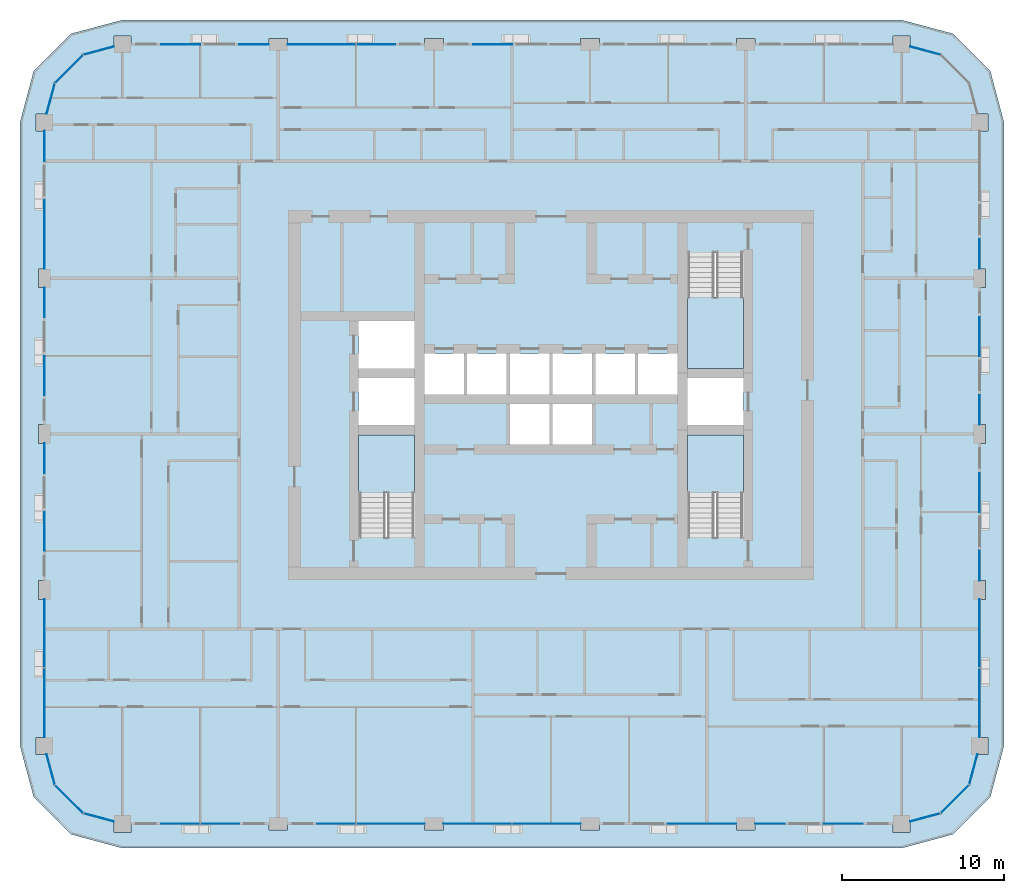
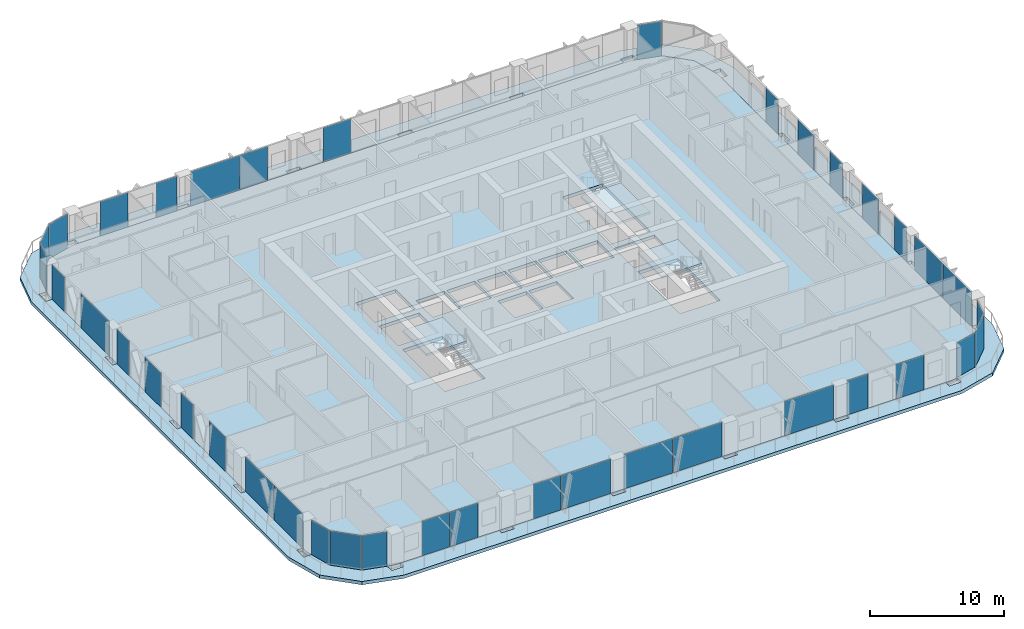
# One storey, part 7 of 22: 39 plates, 5 slabs, 23 elements without a shape of their own.
"""IFC4 building model written with IfcOpenShell, lengths in metres."""

from ifc_helpers import new_model, si_unit, direction, frame, origin, origin_2d, place, context, subcontext, project, spatial, polyline, rectangle, outline, extrude, material, layer, layer_set, type_object, element, aggregate, save


model = new_model("IFC4")

# Units and contexts
model_context = context("Model", 3, precision=1e-05, world=origin(), true_north=direction((0.0, 1.0)))
body_context = subcontext(model_context, "Body", "Model", "MODEL_VIEW")
ifc_project = project(units=[si_unit("LENGTHUNIT", "METRE"), si_unit("AREAUNIT", "SQUARE_METRE"), si_unit("VOLUMEUNIT", "CUBIC_METRE"), si_unit("PLANEANGLEUNIT", "RADIAN"), si_unit("MASSUNIT", "GRAM", prefix="KILO")], contexts=[model_context])

# Site, building, storey
site_placement = place(None, origin())
site = spatial("IfcSite", under=ifc_project, at=site_placement, CompositionType="ELEMENT")
building_placement = place(site_placement, origin())
building = spatial("IfcBuilding", under=site, at=building_placement, Name="Madar Terraces", CompositionType="ELEMENT")
storey_placement = place(building_placement, frame((0.0, 0.0, 149.0)))
storey = spatial("IfcBuildingStorey", under=building, at=storey_placement, Name="L38", CompositionType="ELEMENT", Elevation=149.0)

# Slabs
ifc_material_1 = material(Name="Concrete C50/60", Category="concrete")
ifc_layer_1 = layer(ifc_material_1, 0.300048828125)
ifc_layer_set_1 = layer_set([ifc_layer_1], Name="Balcony band 300")
slab_type_1 = type_object("IfcSlabType", Name="Balcony band 300", PredefinedType="FLOOR", material=ifc_layer_set_1)
slab_1_placement = place(storey_placement, frame((0.0, 0.0, -0.300048828125)))
element("IfcSlab", 1, at=slab_1_placement, inside=storey, type_object=slab_type_1, Name="Balcony band", PredefinedType="FLOOR", context=body_context, shape_type="SweptSolid", body=[
    extrude(outline(polyline([(4.800048828125, -1.5), (1.64990234375, -0.656005859375), (-0.656005859375, 1.64990234375), (-1.5, 4.800048828125), (-1.5, 43.199951171875), (-0.656005859375, 46.35009765625), (1.64990234375, 48.656005859375), (4.800048828125, 49.5), (52.800048828125, 49.5), (55.949951171875, 48.656005859375), (58.256103515625, 46.35009765625), (59.10009765625, 43.199951171875), (59.10009765625, 4.800048828125), (58.256103515625, 1.64990234375), (55.949951171875, -0.656005859375), (52.800048828125, -1.5), (4.800048828125, -1.5)]), holes=[polyline([(5.324951171875, -0.52490234375), (5.324951171875, 0.0), (13.824951171875, 0.0), (13.824951171875, -0.375), (14.97509765625, -0.375), (14.97509765625, 0.0), (23.425048828125, 0.0), (23.425048828125, -0.375), (24.574951171875, -0.375), (24.574951171875, 0.0), (33.02490234375, 0.0), (33.02490234375, -0.375), (34.175048828125, -0.375), (34.175048828125, 0.0), (42.625, 0.0), (42.625, -0.375), (43.77490234375, -0.375), (43.77490234375, 0.0), (52.27490234375, 0.0), (52.27490234375, -0.52490234375), (53.324951171875, -0.52490234375), (53.324951171875, 0.140625), (55.199951171875, 0.64306640625), (56.956787109375, 2.39990234375), (57.459228515625, 4.27490234375), (58.125, 4.27490234375), (58.125, 5.324951171875), (57.60009765625, 5.324951171875), (57.60009765625, 13.824951171875), (57.97509765625, 13.824951171875), (57.97509765625, 14.97509765625), (57.60009765625, 14.97509765625), (57.60009765625, 23.425048828125), (57.97509765625, 23.425048828125), (57.97509765625, 24.574951171875), (57.60009765625, 24.574951171875), (57.60009765625, 33.02490234375), (57.97509765625, 33.02490234375), (57.97509765625, 34.175048828125), (57.60009765625, 34.175048828125), (57.60009765625, 42.675048828125), (58.125, 42.675048828125), (58.125, 43.72509765625), (57.459228515625, 43.72509765625), (56.956787109375, 45.60009765625), (55.199951171875, 47.35693359375), (53.324951171875, 47.859375), (53.324951171875, 48.52490234375), (52.27490234375, 48.52490234375), (52.27490234375, 48.0), (43.77490234375, 48.0), (43.77490234375, 48.375), (42.625, 48.375), (42.625, 48.0), (34.175048828125, 48.0), (34.175048828125, 48.375), (33.02490234375, 48.375), (33.02490234375, 48.0), (24.574951171875, 48.0), (24.574951171875, 48.375), (23.425048828125, 48.375), (23.425048828125, 48.0), (14.97509765625, 48.0), (14.97509765625, 48.375), (13.824951171875, 48.375), (13.824951171875, 48.0), (5.324951171875, 48.0), (5.324951171875, 48.52490234375), (4.27490234375, 48.52490234375), (4.27490234375, 47.859375), (2.39990234375, 47.35693359375), (0.64306640625, 45.60009765625), (0.140625, 43.72509765625), (-0.52490234375, 43.72509765625), (-0.52490234375, 42.675048828125), (0.0, 42.675048828125), (0.0, 34.175048828125), (-0.375, 34.175048828125), (-0.375, 33.02490234375), (0.0, 33.02490234375), (0.0, 24.574951171875), (-0.375, 24.574951171875), (-0.375, 23.425048828125), (0.0, 23.425048828125), (0.0, 14.97509765625), (-0.375, 14.97509765625), (-0.375, 13.824951171875), (0.0, 13.824951171875), (0.0, 5.324951171875), (-0.52490234375, 5.324951171875), (-0.52490234375, 4.27490234375), (0.140625, 4.27490234375), (0.64306640625, 2.39990234375), (2.39990234375, 0.64306640625), (4.27490234375, 0.140625), (4.27490234375, -0.52490234375), (5.324951171875, -0.52490234375)])]), origin(), (0.0, 0.0, 1.0), 0.300048828125),
])
ifc_material_2 = material(Name="Concrete C50/60", Category="concrete")
ifc_layer_2 = layer(ifc_material_2, 0.300048828125)
ifc_layer_set_2 = layer_set([ifc_layer_2], Name="FS2 PT flat slab 300")
slab_type_2 = type_object("IfcSlabType", Name="FS2 PT flat slab 300", PredefinedType="FLOOR", material=ifc_layer_set_2)
slab_2_placement = place(storey_placement, frame((0.0, 0.0, -0.300048828125)))
element("IfcSlab", 2, at=slab_2_placement, inside=storey, type_object=slab_type_2, Name="Floor slab L38 (1)", PredefinedType="FLOOR", context=body_context, shape_type="SweptSolid", body=[
    extrude(outline(polyline([(52.800048828125, 0.0), (55.199951171875, 0.64306640625), (56.95703125, 2.39990234375), (57.60009765625, 4.800048828125), (57.60009765625, 43.199951171875), (56.95703125, 45.60009765625), (55.199951171875, 47.35693359375), (52.800048828125, 48.0), (4.800048828125, 48.0), (2.39990234375, 47.35693359375), (0.64306640625, 45.60009765625), (0.0, 43.199951171875), (0.0, 4.800048828125), (0.64306640625, 2.39990234375), (2.39990234375, 0.64306640625), (4.800048828125, 0.0), (52.800048828125, 0.0)]), holes=[polyline([(22.800048828125, 17.64990234375), (19.35009765625, 17.64990234375), (19.35009765625, 23.949951171875), (22.800048828125, 23.949951171875), (22.800048828125, 17.64990234375)]), polyline([(28.666748046875, 23.35009765625), (28.666748046875, 25.85009765625), (31.10009765625, 25.85009765625), (31.10009765625, 23.35009765625), (28.666748046875, 23.35009765625)]), polyline([(19.35009765625, 24.550048828125), (19.35009765625, 27.449951171875), (22.800048828125, 27.449951171875), (22.800048828125, 24.550048828125), (19.35009765625, 24.550048828125)]), polyline([(23.39990234375, 26.449951171875), (23.39990234375, 28.949951171875), (25.833251953125, 28.949951171875), (25.833251953125, 26.449951171875), (23.39990234375, 26.449951171875)]), polyline([(26.033447265625, 26.449951171875), (26.033447265625, 28.949951171875), (28.466552734375, 28.949951171875), (28.466552734375, 26.449951171875), (26.033447265625, 26.449951171875)]), polyline([(28.666748046875, 26.449951171875), (28.666748046875, 28.949951171875), (31.10009765625, 28.949951171875), (31.10009765625, 26.449951171875), (28.666748046875, 26.449951171875)]), polyline([(19.35009765625, 28.050048828125), (19.35009765625, 30.949951171875), (22.800048828125, 30.949951171875), (22.800048828125, 28.050048828125), (19.35009765625, 28.050048828125)]), polyline([(43.050048828125, 17.64990234375), (39.60009765625, 17.64990234375), (39.60009765625, 23.949951171875), (43.050048828125, 23.949951171875), (43.050048828125, 17.64990234375)]), polyline([(31.300048828125, 23.35009765625), (31.300048828125, 25.85009765625), (33.7333984375, 25.85009765625), (33.7333984375, 23.35009765625), (31.300048828125, 23.35009765625)]), polyline([(39.60009765625, 24.550048828125), (39.60009765625, 27.449951171875), (43.050048828125, 27.449951171875), (43.050048828125, 24.550048828125), (39.60009765625, 24.550048828125)]), polyline([(31.300048828125, 26.449951171875), (31.300048828125, 28.949951171875), (33.7333984375, 28.949951171875), (33.7333984375, 26.449951171875), (31.300048828125, 26.449951171875)]), polyline([(33.933349609375, 26.449951171875), (33.933349609375, 28.949951171875), (36.36669921875, 28.949951171875), (36.36669921875, 26.449951171875), (33.933349609375, 26.449951171875)]), polyline([(36.566650390625, 26.449951171875), (36.566650390625, 28.949951171875), (39.0, 28.949951171875), (39.0, 26.449951171875), (36.566650390625, 26.449951171875)]), polyline([(39.60009765625, 28.050048828125), (39.60009765625, 35.14990234375), (43.050048828125, 35.14990234375), (43.050048828125, 28.050048828125), (39.60009765625, 28.050048828125)])]), origin(), (0.0, 0.0, 1.0), 0.300048828125),
])

# Curtain wall, plates
ifc_material_3 = material(Name="Glass, ceramic frit dark grey, with black aluminium frame", Category="aluminium")
ifc_layer_3 = layer(ifc_material_3, 0.199951171875)
ifc_layer_set_3 = layer_set([ifc_layer_3], Name="Facade curtain wall, fritted glass")
curtain_wall_type = type_object("IfcCurtainWallType", Name="Facade curtain wall, fritted glass", PredefinedType="NOTDEFINED", material=ifc_layer_set_3)
curtain_wall_1_placement = place(storey_placement, origin())
curtain_wall_1 = element("IfcCurtainWall", 3, at=curtain_wall_1_placement, inside=storey, type_object=curtain_wall_type, Name="Outer skin curtain wall south bay 1", PredefinedType="NOTDEFINED")
ifc_material_4 = material(Name="Glass, ceramic frit dark grey", Category="glass")
ifc_layer_4 = layer(ifc_material_4, 0.028076171875)
ifc_layer_set_4 = layer_set([ifc_layer_4], Name="Facade glass panel 28")
plate_type = type_object("IfcPlateType", Name="Facade glass panel 28", PredefinedType="CURTAIN_PANEL", material=ifc_layer_set_4)
plate_1_placement = place(storey_placement, frame((8.385009765625, 0.0, 0.0), z_axis=(0.0, 0.0, 1.0), x_axis=(1.0, 0.0, 0.0)))
plate_1 = element("IfcPlate", 4, at=plate_1_placement, type_object=plate_type, Name="Panel 1", PredefinedType="CURTAIN_PANEL", context=body_context, shape_type="SweptSolid", body=[
    extrude(rectangle(XDim=2.3701171875, YDim=0.028076171875, at=origin_2d()), origin(), (0.0, 0.0, 1.0), 3.139892578125),
])
plate_2_placement = place(storey_placement, frame((10.81494140625, 0.0, 0.0), z_axis=(0.0, 0.0, 1.0), x_axis=(1.0, 0.0, 0.0)))
plate_2 = element("IfcPlate", 5, at=plate_2_placement, type_object=plate_type, Name="Panel 2", PredefinedType="CURTAIN_PANEL", context=body_context, shape_type="SweptSolid", body=[
    extrude(rectangle(XDim=2.3701171875, YDim=0.028076171875, at=origin_2d()), origin(), (0.0, 0.0, 1.0), 3.139892578125),
])
aggregate(curtain_wall_1, [plate_1, plate_2])

curtain_wall_2_placement = place(storey_placement, origin())
curtain_wall_2 = element("IfcCurtainWall", 6, at=curtain_wall_2_placement, inside=storey, type_object=curtain_wall_type, Name="Outer skin curtain wall south bay 2", PredefinedType="NOTDEFINED")
plate_3_placement = place(storey_placement, frame((17.985107421875, 0.0, 0.0), z_axis=(0.0, 0.0, 1.0), x_axis=(1.0, 0.0, 0.0)))
plate_3 = element("IfcPlate", 7, at=plate_3_placement, type_object=plate_type, Name="Panel 1", PredefinedType="CURTAIN_PANEL", context=body_context, shape_type="SweptSolid", body=[
    extrude(rectangle(XDim=2.3701171875, YDim=0.028076171875, at=origin_2d()), origin(), (0.0, 0.0, 1.0), 3.139892578125),
])
plate_4_placement = place(storey_placement, frame((21.327392578125, 0.0, 0.0), z_axis=(0.0, 0.0, 1.0), x_axis=(1.0, 0.0, 0.0)))
plate_4 = element("IfcPlate", 8, at=plate_4_placement, type_object=plate_type, Name="Panel 2", PredefinedType="CURTAIN_PANEL", context=body_context, shape_type="SweptSolid", body=[
    extrude(rectangle(XDim=4.195068359375, YDim=0.028076171875, at=origin_2d()), origin(), (0.0, 0.0, 1.0), 3.139892578125),
])
aggregate(curtain_wall_2, [plate_3, plate_4])

curtain_wall_3_placement = place(storey_placement, origin())
curtain_wall_3 = element("IfcCurtainWall", 9, at=curtain_wall_3_placement, inside=storey, type_object=curtain_wall_type, Name="Outer skin curtain wall south bay 3", PredefinedType="NOTDEFINED")
plate_5_placement = place(storey_placement, frame((26.672607421875, 0.0, 0.0), z_axis=(0.0, 0.0, 1.0), x_axis=(1.0, 0.0, 0.0)))
plate_5 = element("IfcPlate", 10, at=plate_5_placement, type_object=plate_type, Name="Panel 1", PredefinedType="CURTAIN_PANEL", context=body_context, shape_type="SweptSolid", body=[
    extrude(rectangle(XDim=4.195068359375, YDim=0.028076171875, at=origin_2d()), origin(), (0.0, 0.0, 1.0), 3.139892578125),
])
plate_6_placement = place(storey_placement, frame((30.927490234375, 0.0, 0.0), z_axis=(0.0, 0.0, 1.0), x_axis=(1.0, 0.0, 0.0)))
plate_6 = element("IfcPlate", 11, at=plate_6_placement, type_object=plate_type, Name="Panel 2", PredefinedType="CURTAIN_PANEL", context=body_context, shape_type="SweptSolid", body=[
    extrude(rectangle(XDim=4.195068359375, YDim=0.028076171875, at=origin_2d()), origin(), (0.0, 0.0, 1.0), 3.139892578125),
])
aggregate(curtain_wall_3, [plate_5, plate_6])

# Curtain wall, plate
curtain_wall_4_placement = place(storey_placement, origin())
curtain_wall_4 = element("IfcCurtainWall", 12, at=curtain_wall_4_placement, inside=storey, type_object=curtain_wall_type, Name="Outer skin curtain wall south bay 4", PredefinedType="NOTDEFINED")
plate_7_placement = place(storey_placement, frame((40.512451171875, 0.0, 0.0), z_axis=(0.0, 0.0, 1.0), x_axis=(1.0, 0.0, 0.0)))
plate_7 = element("IfcPlate", 13, at=plate_7_placement, type_object=plate_type, Name="Panel 1", PredefinedType="CURTAIN_PANEL", context=body_context, shape_type="SweptSolid", body=[
    extrude(rectangle(XDim=4.22509765625, YDim=0.028076171875, at=origin_2d()), origin(), (0.0, 0.0, 1.0), 3.139892578125),
])
aggregate(curtain_wall_4, [plate_7])

# Curtain wall, plates
curtain_wall_5_placement = place(storey_placement, origin())
curtain_wall_5 = element("IfcCurtainWall", 14, at=curtain_wall_5_placement, inside=storey, type_object=curtain_wall_type, Name="Outer skin curtain wall south bay 5", PredefinedType="NOTDEFINED")
plate_8_placement = place(storey_placement, frame((44.6875, 0.0, 0.0), z_axis=(0.0, 0.0, 1.0), x_axis=(1.0, 0.0, 0.0)))
plate_8 = element("IfcPlate", 15, at=plate_8_placement, type_object=plate_type, Name="Panel 1", PredefinedType="CURTAIN_PANEL", context=body_context, shape_type="SweptSolid", body=[
    extrude(rectangle(XDim=1.824951171875, YDim=0.028076171875, at=origin_2d()), origin(), (0.0, 0.0, 1.0), 3.139892578125),
])
plate_9_placement = place(storey_placement, frame((49.199951171875, 0.0, 0.0), z_axis=(0.0, 0.0, 1.0), x_axis=(1.0, 0.0, 0.0)))
plate_9 = element("IfcPlate", 16, at=plate_9_placement, type_object=plate_type, Name="Panel 2", PredefinedType="CURTAIN_PANEL", context=body_context, shape_type="SweptSolid", body=[
    extrude(rectangle(XDim=2.39990234375, YDim=0.028076171875, at=origin_2d()), origin(), (0.0, 0.0, 1.0), 3.139892578125),
])
aggregate(curtain_wall_5, [plate_8, plate_9])

curtain_wall_6_placement = place(storey_placement, origin())
curtain_wall_6 = element("IfcCurtainWall", 17, at=curtain_wall_6_placement, inside=storey, type_object=curtain_wall_type, Name="Outer skin curtain wall east bay 1", PredefinedType="NOTDEFINED")
plate_10_placement = place(storey_placement, frame((57.60009765625, 7.447509765625, 0.0), z_axis=(0.0, 0.0, 1.0), x_axis=(0.0, 1.0, 0.0)))
plate_10 = element("IfcPlate", 18, at=plate_10_placement, type_object=plate_type, Name="Panel 1", PredefinedType="CURTAIN_PANEL", context=body_context, shape_type="SweptSolid", body=[
    extrude(rectangle(XDim=4.2451171875, YDim=0.028076171875, at=origin_2d()), origin(), (0.0, 0.0, 1.0), 3.139892578125),
])
plate_11_placement = place(storey_placement, frame((57.60009765625, 11.7275390625, 0.0), z_axis=(0.0, 0.0, 1.0), x_axis=(0.0, 1.0, 0.0)))
plate_11 = element("IfcPlate", 19, at=plate_11_placement, type_object=plate_type, Name="Panel 2", PredefinedType="CURTAIN_PANEL", context=body_context, shape_type="SweptSolid", body=[
    extrude(rectangle(XDim=4.195068359375, YDim=0.028076171875, at=origin_2d()), origin(), (0.0, 0.0, 1.0), 3.139892578125),
])
aggregate(curtain_wall_6, [plate_10, plate_11])

curtain_wall_7_placement = place(storey_placement, origin())
curtain_wall_7 = element("IfcCurtainWall", 20, at=curtain_wall_7_placement, inside=storey, type_object=curtain_wall_type, Name="Outer skin curtain wall east bay 2", PredefinedType="NOTDEFINED")
plate_12_placement = place(storey_placement, frame((57.60009765625, 15.887451171875, 0.0), z_axis=(0.0, 0.0, 1.0), x_axis=(0.0, 1.0, 0.0)))
plate_12 = element("IfcPlate", 21, at=plate_12_placement, type_object=plate_type, Name="Panel 1", PredefinedType="CURTAIN_PANEL", context=body_context, shape_type="SweptSolid", body=[
    extrude(rectangle(XDim=1.824951171875, YDim=0.028076171875, at=origin_2d()), origin(), (0.0, 0.0, 1.0), 3.139892578125),
])
plate_13_placement = place(storey_placement, frame((57.60009765625, 20.39990234375, 0.0), z_axis=(0.0, 0.0, 1.0), x_axis=(0.0, 1.0, 0.0)))
plate_13 = element("IfcPlate", 22, at=plate_13_placement, type_object=plate_type, Name="Panel 2", PredefinedType="CURTAIN_PANEL", context=body_context, shape_type="SweptSolid", body=[
    extrude(rectangle(XDim=2.39990234375, YDim=0.028076171875, at=origin_2d()), origin(), (0.0, 0.0, 1.0), 3.139892578125),
])
aggregate(curtain_wall_7, [plate_12, plate_13])

curtain_wall_8_placement = place(storey_placement, origin())
curtain_wall_8 = element("IfcCurtainWall", 23, at=curtain_wall_8_placement, inside=storey, type_object=curtain_wall_type, Name="Outer skin curtain wall east bay 3", PredefinedType="NOTDEFINED")
plate_14_placement = place(storey_placement, frame((57.60009765625, 25.487548828125, 0.0), z_axis=(0.0, 0.0, 1.0), x_axis=(0.0, 1.0, 0.0)))
plate_14 = element("IfcPlate", 24, at=plate_14_placement, type_object=plate_type, Name="Panel 1", PredefinedType="CURTAIN_PANEL", context=body_context, shape_type="SweptSolid", body=[
    extrude(rectangle(XDim=1.824951171875, YDim=0.028076171875, at=origin_2d()), origin(), (0.0, 0.0, 1.0), 3.139892578125),
])
plate_15_placement = place(storey_placement, frame((57.60009765625, 30.0, 0.0), z_axis=(0.0, 0.0, 1.0), x_axis=(0.0, 1.0, 0.0)))
plate_15 = element("IfcPlate", 25, at=plate_15_placement, type_object=plate_type, Name="Panel 2", PredefinedType="CURTAIN_PANEL", context=body_context, shape_type="SweptSolid", body=[
    extrude(rectangle(XDim=2.39990234375, YDim=0.028076171875, at=origin_2d()), origin(), (0.0, 0.0, 1.0), 3.139892578125),
])
aggregate(curtain_wall_8, [plate_14, plate_15])

# Curtain wall, plate
curtain_wall_9_placement = place(storey_placement, origin())
curtain_wall_9 = element("IfcCurtainWall", 26, at=curtain_wall_9_placement, inside=storey, type_object=curtain_wall_type, Name="Outer skin curtain wall east bay 4", PredefinedType="NOTDEFINED")
plate_16_placement = place(storey_placement, frame((57.60009765625, 35.08740234375, 0.0), z_axis=(0.0, 0.0, 1.0), x_axis=(0.0, 1.0, 0.0)))
plate_16 = element("IfcPlate", 27, at=plate_16_placement, type_object=plate_type, Name="Panel 1", PredefinedType="CURTAIN_PANEL", context=body_context, shape_type="SweptSolid", body=[
    extrude(rectangle(XDim=1.824951171875, YDim=0.028076171875, at=origin_2d()), origin(), (0.0, 0.0, 1.0), 3.139892578125),
])
aggregate(curtain_wall_9, [plate_16])

curtain_wall_10_placement = place(storey_placement, origin())
curtain_wall_10 = element("IfcCurtainWall", 28, at=curtain_wall_10_placement, inside=storey, type_object=curtain_wall_type, Name="Outer skin curtain wall north bay 3", PredefinedType="NOTDEFINED")
plate_17_placement = place(storey_placement, frame((27.60009765625, 48.0, 0.0), z_axis=(0.0, 0.0, 1.0), x_axis=(-1.0, 0.0, 0.0)))
plate_17 = element("IfcPlate", 29, at=plate_17_placement, type_object=plate_type, Name="Panel 2", PredefinedType="CURTAIN_PANEL", context=body_context, shape_type="SweptSolid", body=[
    extrude(rectangle(XDim=2.39990234375, YDim=0.028076171875, at=origin_2d()), origin(), (0.0, 0.0, 1.0), 3.139892578125),
])
aggregate(curtain_wall_10, [plate_17])

# Curtain wall, plates
curtain_wall_11_placement = place(storey_placement, origin())
curtain_wall_11 = element("IfcCurtainWall", 30, at=curtain_wall_11_placement, inside=storey, type_object=curtain_wall_type, Name="Outer skin curtain wall north bay 4", PredefinedType="NOTDEFINED")
plate_18_placement = place(storey_placement, frame((20.4150390625, 48.0, 0.0), z_axis=(0.0, 0.0, 1.0), x_axis=(-1.0, 0.0, 0.0)))
plate_18 = element("IfcPlate", 31, at=plate_18_placement, type_object=plate_type, Name="Panel 1", PredefinedType="CURTAIN_PANEL", context=body_context, shape_type="SweptSolid", body=[
    extrude(rectangle(XDim=2.3701171875, YDim=0.028076171875, at=origin_2d()), origin(), (0.0, 0.0, 1.0), 3.139892578125),
])
plate_19_placement = place(storey_placement, frame((17.072509765625, 48.0, 0.0), z_axis=(0.0, 0.0, 1.0), x_axis=(-1.0, 0.0, 0.0)))
plate_19 = element("IfcPlate", 32, at=plate_19_placement, type_object=plate_type, Name="Panel 2", PredefinedType="CURTAIN_PANEL", context=body_context, shape_type="SweptSolid", body=[
    extrude(rectangle(XDim=4.195068359375, YDim=0.028076171875, at=origin_2d()), origin(), (0.0, 0.0, 1.0), 3.139892578125),
])
aggregate(curtain_wall_11, [plate_18, plate_19])

curtain_wall_12_placement = place(storey_placement, origin())
curtain_wall_12 = element("IfcCurtainWall", 33, at=curtain_wall_12_placement, inside=storey, type_object=curtain_wall_type, Name="Outer skin curtain wall north bay 5", PredefinedType="NOTDEFINED")
plate_20_placement = place(storey_placement, frame((12.91259765625, 48.0, 0.0), z_axis=(0.0, 0.0, 1.0), x_axis=(-1.0, 0.0, 0.0)))
plate_20 = element("IfcPlate", 34, at=plate_20_placement, type_object=plate_type, Name="Panel 1", PredefinedType="CURTAIN_PANEL", context=body_context, shape_type="SweptSolid", body=[
    extrude(rectangle(XDim=1.824951171875, YDim=0.028076171875, at=origin_2d()), origin(), (0.0, 0.0, 1.0), 3.139892578125),
])
plate_21_placement = place(storey_placement, frame((8.39990234375, 48.0, 0.0), z_axis=(0.0, 0.0, 1.0), x_axis=(-1.0, 0.0, 0.0)))
plate_21 = element("IfcPlate", 35, at=plate_21_placement, type_object=plate_type, Name="Panel 2", PredefinedType="CURTAIN_PANEL", context=body_context, shape_type="SweptSolid", body=[
    extrude(rectangle(XDim=2.39990234375, YDim=0.028076171875, at=origin_2d()), origin(), (0.0, 0.0, 1.0), 3.139892578125),
])
aggregate(curtain_wall_12, [plate_20, plate_21])

curtain_wall_13_placement = place(storey_placement, origin())
curtain_wall_13 = element("IfcCurtainWall", 36, at=curtain_wall_13_placement, inside=storey, type_object=curtain_wall_type, Name="Outer skin curtain wall west bay 1", PredefinedType="NOTDEFINED")
plate_22_placement = place(storey_placement, frame((0.0, 41.737548828125, 0.0), z_axis=(0.0, 0.0, 1.0), x_axis=(0.0, -1.0, 0.0)))
plate_22 = element("IfcPlate", 37, at=plate_22_placement, type_object=plate_type, Name="Panel 1", PredefinedType="CURTAIN_PANEL", context=body_context, shape_type="SweptSolid", body=[
    extrude(rectangle(XDim=1.875, YDim=0.028076171875, at=origin_2d()), origin(), (0.0, 0.0, 1.0), 3.139892578125),
])
plate_23_placement = place(storey_placement, frame((0.0, 36.28759765625, 0.0), z_axis=(0.0, 0.0, 1.0), x_axis=(0.0, -1.0, 0.0)))
plate_23 = element("IfcPlate", 38, at=plate_23_placement, type_object=plate_type, Name="Panel 2", PredefinedType="CURTAIN_PANEL", context=body_context, shape_type="SweptSolid", body=[
    extrude(rectangle(XDim=4.22509765625, YDim=0.028076171875, at=origin_2d()), origin(), (0.0, 0.0, 1.0), 3.139892578125),
])
aggregate(curtain_wall_13, [plate_22, plate_23])

curtain_wall_14_placement = place(storey_placement, origin())
curtain_wall_14 = element("IfcCurtainWall", 39, at=curtain_wall_14_placement, inside=storey, type_object=curtain_wall_type, Name="Outer skin curtain wall west bay 2", PredefinedType="NOTDEFINED")
plate_24_placement = place(storey_placement, frame((0.0, 32.112548828125, 0.0), z_axis=(0.0, 0.0, 1.0), x_axis=(0.0, -1.0, 0.0)))
plate_24 = element("IfcPlate", 40, at=plate_24_placement, type_object=plate_type, Name="Panel 1", PredefinedType="CURTAIN_PANEL", context=body_context, shape_type="SweptSolid", body=[
    extrude(rectangle(XDim=1.824951171875, YDim=0.028076171875, at=origin_2d()), origin(), (0.0, 0.0, 1.0), 3.139892578125),
])
plate_25_placement = place(storey_placement, frame((0.0, 27.60009765625, 0.0), z_axis=(0.0, 0.0, 1.0), x_axis=(0.0, -1.0, 0.0)))
plate_25 = element("IfcPlate", 41, at=plate_25_placement, type_object=plate_type, Name="Panel 2", PredefinedType="CURTAIN_PANEL", context=body_context, shape_type="SweptSolid", body=[
    extrude(rectangle(XDim=2.39990234375, YDim=0.028076171875, at=origin_2d()), origin(), (0.0, 0.0, 1.0), 3.139892578125),
])
aggregate(curtain_wall_14, [plate_24, plate_25])

curtain_wall_15_placement = place(storey_placement, origin())
curtain_wall_15 = element("IfcCurtainWall", 42, at=curtain_wall_15_placement, inside=storey, type_object=curtain_wall_type, Name="Outer skin curtain wall west bay 3", PredefinedType="NOTDEFINED")
plate_26_placement = place(storey_placement, frame((0.0, 22.512451171875, 0.0), z_axis=(0.0, 0.0, 1.0), x_axis=(0.0, -1.0, 0.0)))
plate_26 = element("IfcPlate", 43, at=plate_26_placement, type_object=plate_type, Name="Panel 1", PredefinedType="CURTAIN_PANEL", context=body_context, shape_type="SweptSolid", body=[
    extrude(rectangle(XDim=1.824951171875, YDim=0.028076171875, at=origin_2d()), origin(), (0.0, 0.0, 1.0), 3.139892578125),
])
plate_27_placement = place(storey_placement, frame((0.0, 18.0, 0.0), z_axis=(0.0, 0.0, 1.0), x_axis=(0.0, -1.0, 0.0)))
plate_27 = element("IfcPlate", 44, at=plate_27_placement, type_object=plate_type, Name="Panel 2", PredefinedType="CURTAIN_PANEL", context=body_context, shape_type="SweptSolid", body=[
    extrude(rectangle(XDim=2.39990234375, YDim=0.028076171875, at=origin_2d()), origin(), (0.0, 0.0, 1.0), 3.139892578125),
])
aggregate(curtain_wall_15, [plate_26, plate_27])

curtain_wall_16_placement = place(storey_placement, origin())
curtain_wall_16 = element("IfcCurtainWall", 45, at=curtain_wall_16_placement, inside=storey, type_object=curtain_wall_type, Name="Outer skin curtain wall west bay 4", PredefinedType="NOTDEFINED")
plate_28_placement = place(storey_placement, frame((0.0, 11.7275390625, 0.0), z_axis=(0.0, 0.0, 1.0), x_axis=(0.0, -1.0, 0.0)))
plate_28 = element("IfcPlate", 46, at=plate_28_placement, type_object=plate_type, Name="Panel 1", PredefinedType="CURTAIN_PANEL", context=body_context, shape_type="SweptSolid", body=[
    extrude(rectangle(XDim=4.195068359375, YDim=0.028076171875, at=origin_2d()), origin(), (0.0, 0.0, 1.0), 3.139892578125),
])
plate_29_placement = place(storey_placement, frame((0.0, 7.447509765625, 0.0), z_axis=(0.0, 0.0, 1.0), x_axis=(0.0, -1.0, 0.0)))
plate_29 = element("IfcPlate", 47, at=plate_29_placement, type_object=plate_type, Name="Panel 2", PredefinedType="CURTAIN_PANEL", context=body_context, shape_type="SweptSolid", body=[
    extrude(rectangle(XDim=4.2451171875, YDim=0.028076171875, at=origin_2d()), origin(), (0.0, 0.0, 1.0), 3.139892578125),
])
aggregate(curtain_wall_16, [plate_28, plate_29])

curtain_wall_17_placement = place(storey_placement, origin())
curtain_wall_17 = element("IfcCurtainWall", 48, at=curtain_wall_17_placement, inside=storey, type_object=curtain_wall_type, Name="Outer skin curtain wall south-east corner", PredefinedType="NOTDEFINED")
plate_30_placement = place(storey_placement, frame((54.248046875, 0.387939453125, 0.0), z_axis=(0.0, 0.0, 1.0), x_axis=(0.965925832509, 0.258819021888, 0.0)))
plate_30 = element("IfcPlate", 49, at=plate_30_placement, type_object=plate_type, Name="Panel 1", PredefinedType="CURTAIN_PANEL", context=body_context, shape_type="SweptSolid", body=[
    extrude(rectangle(XDim=1.9111328125, YDim=0.028076171875, at=origin_2d()), origin(), (0.0, 0.0, 1.0), 3.139892578125),
])
plate_31_placement = place(storey_placement, frame((56.078369140625, 1.521484375, 0.0), z_axis=(0.0, 0.0, 1.0), x_axis=(0.707106781187, 0.707106781187, 0.0)))
plate_31 = element("IfcPlate", 50, at=plate_31_placement, type_object=plate_type, Name="Panel 2", PredefinedType="CURTAIN_PANEL", context=body_context, shape_type="SweptSolid", body=[
    extrude(rectangle(XDim=2.424560546875, YDim=0.028076171875, at=origin_2d()), origin(), (0.0, 0.0, 1.0), 3.139892578125),
])
plate_32_placement = place(storey_placement, frame((57.2119140625, 3.35205078125, 0.0), z_axis=(0.0, 0.0, 1.0), x_axis=(0.258819021888, 0.965925832509, 0.0)))
plate_32 = element("IfcPlate", 51, at=plate_32_placement, type_object=plate_type, Name="Panel 3", PredefinedType="CURTAIN_PANEL", context=body_context, shape_type="SweptSolid", body=[
    extrude(rectangle(XDim=1.9111328125, YDim=0.028076171875, at=origin_2d()), origin(), (0.0, 0.0, 1.0), 3.139892578125),
])
aggregate(curtain_wall_17, [plate_30, plate_31, plate_32])

# Curtain wall, plate
curtain_wall_18_placement = place(storey_placement, origin())
curtain_wall_18 = element("IfcCurtainWall", 52, at=curtain_wall_18_placement, inside=storey, type_object=curtain_wall_type, Name="Outer skin curtain wall north-east corner", PredefinedType="NOTDEFINED")
plate_33_placement = place(storey_placement, frame((54.248046875, 47.612060546875, 0.0), z_axis=(0.0, 0.0, 1.0), x_axis=(-0.965925832509, 0.258819021888, 0.0)))
plate_33 = element("IfcPlate", 53, at=plate_33_placement, type_object=plate_type, Name="Panel 3", PredefinedType="CURTAIN_PANEL", context=body_context, shape_type="SweptSolid", body=[
    extrude(rectangle(XDim=1.9111328125, YDim=0.028076171875, at=origin_2d()), origin(), (0.0, 0.0, 1.0), 3.139892578125),
])
aggregate(curtain_wall_18, [plate_33])

# Curtain wall, plates
curtain_wall_19_placement = place(storey_placement, origin())
curtain_wall_19 = element("IfcCurtainWall", 54, at=curtain_wall_19_placement, inside=storey, type_object=curtain_wall_type, Name="Outer skin curtain wall north-west corner", PredefinedType="NOTDEFINED")
plate_34_placement = place(storey_placement, frame((3.35205078125, 47.612060546875, 0.0), z_axis=(0.0, 0.0, 1.0), x_axis=(-0.965925832509, -0.258819021888, 0.0)))
plate_34 = element("IfcPlate", 55, at=plate_34_placement, type_object=plate_type, Name="Panel 1", PredefinedType="CURTAIN_PANEL", context=body_context, shape_type="SweptSolid", body=[
    extrude(rectangle(XDim=1.9111328125, YDim=0.028076171875, at=origin_2d()), origin(), (0.0, 0.0, 1.0), 3.139892578125),
])
plate_35_placement = place(storey_placement, frame((1.521484375, 46.478515625, 0.0), z_axis=(0.0, 0.0, 1.0), x_axis=(-0.707106781187, -0.707106781187, 0.0)))
plate_35 = element("IfcPlate", 56, at=plate_35_placement, type_object=plate_type, Name="Panel 2", PredefinedType="CURTAIN_PANEL", context=body_context, shape_type="SweptSolid", body=[
    extrude(rectangle(XDim=2.424560546875, YDim=0.028076171875, at=origin_2d()), origin(), (0.0, 0.0, 1.0), 3.139892578125),
])
plate_36_placement = place(storey_placement, frame((0.387939453125, 44.64794921875, 0.0), z_axis=(0.0, 0.0, 1.0), x_axis=(-0.258819021888, -0.965925832509, 0.0)))
plate_36 = element("IfcPlate", 57, at=plate_36_placement, type_object=plate_type, Name="Panel 3", PredefinedType="CURTAIN_PANEL", context=body_context, shape_type="SweptSolid", body=[
    extrude(rectangle(XDim=1.9111328125, YDim=0.028076171875, at=origin_2d()), origin(), (0.0, 0.0, 1.0), 3.139892578125),
])
aggregate(curtain_wall_19, [plate_34, plate_35, plate_36])

curtain_wall_20_placement = place(storey_placement, origin())
curtain_wall_20 = element("IfcCurtainWall", 58, at=curtain_wall_20_placement, inside=storey, type_object=curtain_wall_type, Name="Outer skin curtain wall south-west corner", PredefinedType="NOTDEFINED")
plate_37_placement = place(storey_placement, frame((0.387939453125, 3.35205078125, 0.0), z_axis=(0.0, 0.0, 1.0), x_axis=(0.258819021888, -0.965925832509, 0.0)))
plate_37 = element("IfcPlate", 59, at=plate_37_placement, type_object=plate_type, Name="Panel 1", PredefinedType="CURTAIN_PANEL", context=body_context, shape_type="SweptSolid", body=[
    extrude(rectangle(XDim=1.9111328125, YDim=0.028076171875, at=origin_2d()), origin(), (0.0, 0.0, 1.0), 3.139892578125),
])
plate_38_placement = place(storey_placement, frame((1.521484375, 1.521484375, 0.0), z_axis=(0.0, 0.0, 1.0), x_axis=(0.707106781187, -0.707106781187, 0.0)))
plate_38 = element("IfcPlate", 60, at=plate_38_placement, type_object=plate_type, Name="Panel 2", PredefinedType="CURTAIN_PANEL", context=body_context, shape_type="SweptSolid", body=[
    extrude(rectangle(XDim=2.424560546875, YDim=0.028076171875, at=origin_2d()), origin(), (0.0, 0.0, 1.0), 3.139892578125),
])
plate_39_placement = place(storey_placement, frame((3.35205078125, 0.387939453125, 0.0), z_axis=(0.0, 0.0, 1.0), x_axis=(0.965925832509, -0.258819021888, 0.0)))
plate_39 = element("IfcPlate", 61, at=plate_39_placement, type_object=plate_type, Name="Panel 3", PredefinedType="CURTAIN_PANEL", context=body_context, shape_type="SweptSolid", body=[
    extrude(rectangle(XDim=1.9111328125, YDim=0.028076171875, at=origin_2d()), origin(), (0.0, 0.0, 1.0), 3.139892578125),
])
aggregate(curtain_wall_20, [plate_37, plate_38, plate_39])

# Stair, slab
ifc_material_5 = material(Name="Concrete C50/60", Category="concrete")
stair_type_1 = type_object("IfcStairType", Name="Stair ST1 protected exit", PredefinedType="HALF_TURN_STAIR", material=ifc_material_5)
stair_1_placement = place(storey_placement, origin())
stair_1 = element("IfcStair", 62, at=stair_1_placement, inside=storey, type_object=stair_type_1, Name="L38 Protected Exit Stair ST1", PredefinedType="HALF_TURN_STAIR")
ifc_material_6 = material(Name="Concrete C50/60", Category="concrete")
ifc_layer_5 = layer(ifc_material_6, 0.199951171875)
ifc_layer_set_5 = layer_set([ifc_layer_5], Name="Stair landing 200, top +1.75")
slab_type_3 = type_object("IfcSlabType", Name="Stair landing 200, top +1.75", PredefinedType="LANDING", material=ifc_layer_set_5)
slab_3_placement = place(storey_placement, frame((0.0, 0.0, 1.550048828125)))
slab_3 = element("IfcSlab", 63, at=slab_3_placement, type_object=slab_type_3, Name="ST1 landing 1", PredefinedType="LANDING", context=body_context, shape_type="SweptSolid", body=[
    extrude(outline(polyline([(19.35009765625, 20.360107421875), (22.800048828125, 20.360107421875), (22.800048828125, 23.949951171875), (19.35009765625, 23.949951171875), (19.35009765625, 20.360107421875)])), origin(), (0.0, 0.0, 1.0), 0.199951171875),
])
aggregate(stair_1, [slab_3])

ifc_material_7 = material(Name="Concrete C50/60", Category="concrete")
stair_type_2 = type_object("IfcStairType", Name="Stair ST2 protected exit", PredefinedType="HALF_TURN_STAIR", material=ifc_material_7)
stair_2_placement = place(storey_placement, origin())
stair_2 = element("IfcStair", 64, at=stair_2_placement, inside=storey, type_object=stair_type_2, Name="L38 Protected Exit Stair ST2", PredefinedType="HALF_TURN_STAIR")
slab_4_placement = place(storey_placement, frame((0.0, 0.0, 1.550048828125)))
slab_4 = element("IfcSlab", 65, at=slab_4_placement, type_object=slab_type_3, Name="ST2 landing 1", PredefinedType="LANDING", context=body_context, shape_type="SweptSolid", body=[
    extrude(outline(polyline([(39.60009765625, 28.050048828125), (43.050048828125, 28.050048828125), (43.050048828125, 32.43994140625), (39.60009765625, 32.43994140625), (39.60009765625, 28.050048828125)])), origin(), (0.0, 0.0, 1.0), 0.199951171875),
])
aggregate(stair_2, [slab_4])

ifc_material_8 = material(Name="Concrete C50/60", Category="concrete")
stair_type_3 = type_object("IfcStairType", Name="Stair ST3 protected exit", PredefinedType="HALF_TURN_STAIR", material=ifc_material_8)
stair_3_placement = place(storey_placement, origin())
stair_3 = element("IfcStair", 66, at=stair_3_placement, inside=storey, type_object=stair_type_3, Name="L38 Protected Exit Stair ST3", PredefinedType="HALF_TURN_STAIR")
slab_5_placement = place(storey_placement, frame((0.0, 0.0, 1.550048828125)))
slab_5 = element("IfcSlab", 67, at=slab_5_placement, type_object=slab_type_3, Name="ST3 landing 1", PredefinedType="LANDING", context=body_context, shape_type="SweptSolid", body=[
    extrude(outline(polyline([(39.60009765625, 20.360107421875), (43.050048828125, 20.360107421875), (43.050048828125, 23.949951171875), (39.60009765625, 23.949951171875), (39.60009765625, 20.360107421875)])), origin(), (0.0, 0.0, 1.0), 0.199951171875),
])
aggregate(stair_3, [slab_5])

save(model, "model.ifc")
